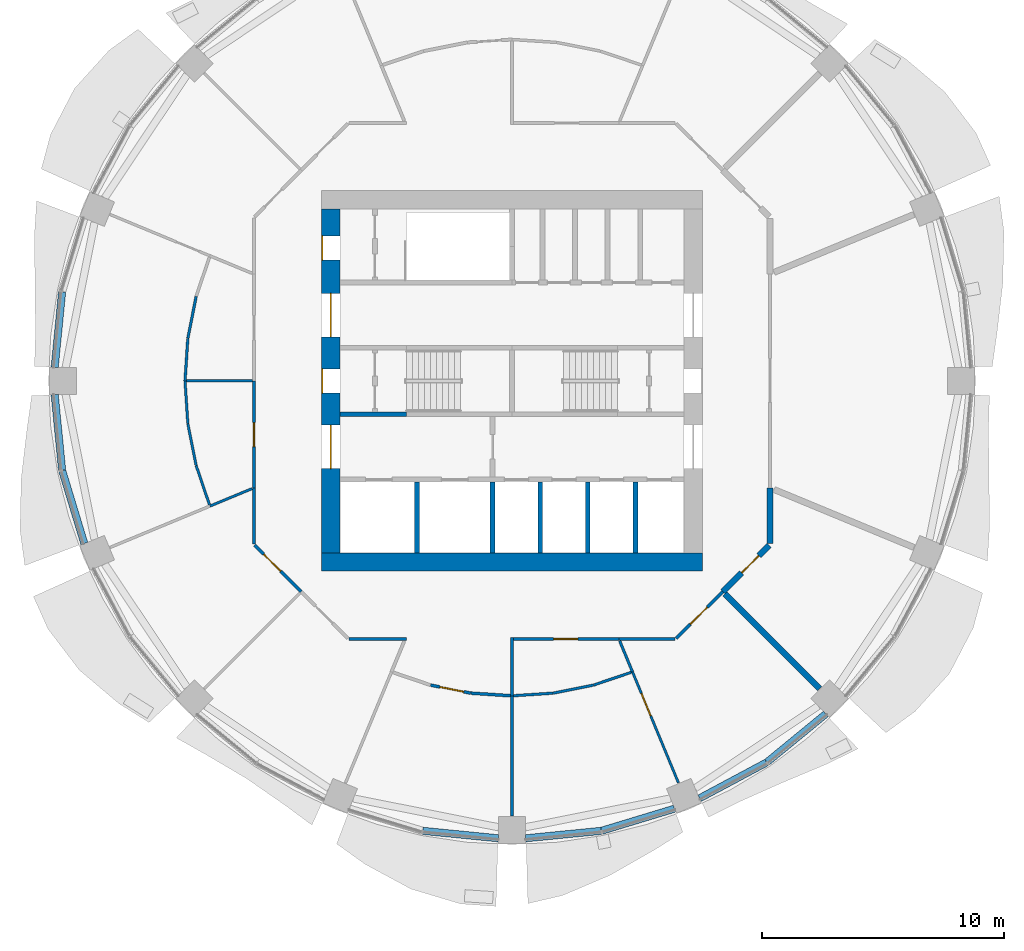
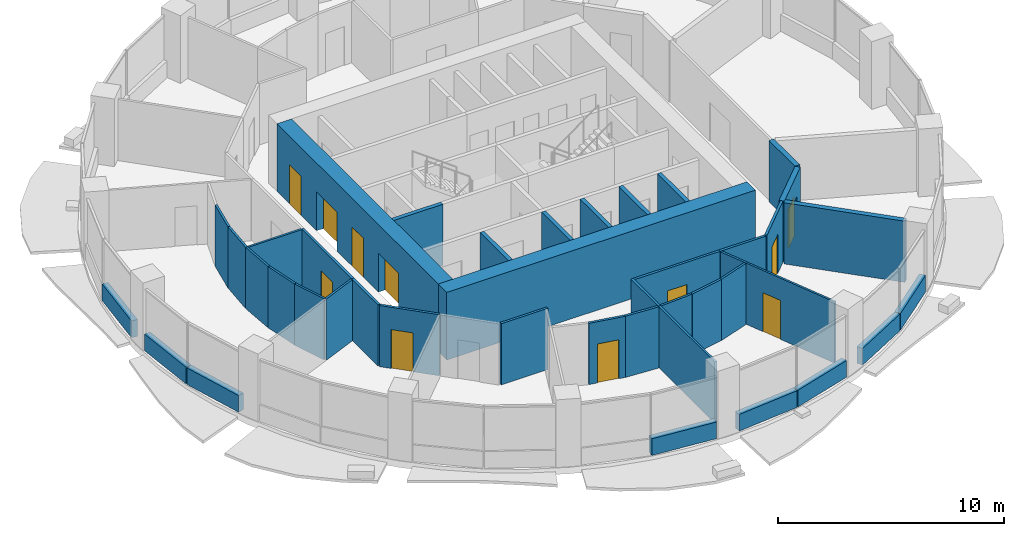
# One storey, part 7 of 14: 42 walls, 11 doors, 11 openings.
"""IFC4 building model written with IfcOpenShell, lengths in metres."""

from ifc_helpers import new_model, si_unit, direction, frame, frame_2d, origin, place, context, subcontext, project, spatial, rectangle, extrude, material, layer, layer_set, type_object, element, fill, save


model = new_model("IFC4")

# Units and contexts
model_context = context("Model", 3, precision=1e-05, world=origin(), true_north=direction((0.0, 1.0)))
body_context = subcontext(model_context, "Body", "Model", "MODEL_VIEW")
ifc_project = project(units=[si_unit("LENGTHUNIT", "METRE"), si_unit("AREAUNIT", "SQUARE_METRE"), si_unit("VOLUMEUNIT", "CUBIC_METRE"), si_unit("PLANEANGLEUNIT", "RADIAN"), si_unit("MASSUNIT", "GRAM", prefix="KILO")], contexts=[model_context])

# Site, building, storey
site_placement = place(None, origin())
site = spatial("IfcSite", under=ifc_project, at=site_placement, CompositionType="ELEMENT")
building_placement = place(site_placement, origin())
building = spatial("IfcBuilding", under=site, at=building_placement, Name="Polderwave Tower", CompositionType="ELEMENT")
storey_placement = place(building_placement, frame((0.0, 0.0, 112.89990234375)))
storey = spatial("IfcBuildingStorey", under=building, at=storey_placement, Name="L29", CompositionType="ELEMENT", Elevation=112.89990234375)

# Wall
ifc_material_1 = material(Name="Concrete C70/85", Category="concrete")
ifc_layer_1 = layer(ifc_material_1, 0.75)
ifc_layer_set_1 = layer_set([ifc_layer_1], Name="CORE WALL 750 C70/85")
wall_type_1 = type_object("IfcWallType", Name="CORE WALL 750 C70/85", PredefinedType="SHEAR", material=ifc_layer_set_1)
wall_1_placement = place(storey_placement, frame((-7.8740234375, -7.4990234375, 0.0), z_axis=(0.0, 0.0, 1.0), x_axis=(1.0, 0.0, 0.0)))
element("IfcWall", 1, at=wall_1_placement, inside=storey, type_object=wall_type_1, Name="ST-CORE-L29-S", PredefinedType="SHEAR", context=body_context, shape_type="SweptSolid", body=[
    extrude(rectangle(XDim=15.748046875, YDim=0.75, at=frame_2d((7.8740234375, 0.0))), origin(), (0.0, 0.0, 1.0), 3.650146484375),
])

# Wall, openings, doors
wall_2_placement = place(storey_placement, frame((-7.4990234375, -7.1240234375, 0.0), z_axis=(0.0, 0.0, 1.0), x_axis=(0.0, 1.0, 0.0)))
wall_2 = element("IfcWall", 2, at=wall_2_placement, inside=storey, type_object=wall_type_1, Name="ST-CORE-L29-W", PredefinedType="SHEAR", context=body_context, shape_type="SweptSolid", body=[
    extrude(rectangle(XDim=14.248046875, YDim=0.75, at=frame_2d((7.1240234375, 0.0))), origin(), (0.0, 0.0, 1.0), 3.650146484375),
])
opening_1_placement = place(wall_2_placement, frame((6.6240234375, 0.0, 0.0)))
opening_1 = element("IfcOpeningElement", 3, at=opening_1_placement, cuts=wall_2, Name="Opening L29-D19", PredefinedType="OPENING", context=body_context, shape_type="SweptSolid", body=[
    extrude(rectangle(XDim=1.0, YDim=2.10009765625, at=frame_2d((0.5, 1.050048828125))), frame((0.0, 0.385009765625, 0.0), z_axis=(0.0, -1.0, 0.0), x_axis=(1.0, 0.0, 0.0)), (0.0, 0.0, 1.0), 0.77001953125),
])
opening_2_placement = place(wall_2_placement, frame((3.49951171875, 0.0, 0.0)))
opening_2 = element("IfcOpeningElement", 4, at=opening_2_placement, cuts=wall_2, Name="Opening L29-D20", PredefinedType="OPENING", context=body_context, shape_type="SweptSolid", body=[
    extrude(rectangle(XDim=1.800048828125, YDim=2.10009765625, at=frame_2d((0.89990234375, 1.050048828125))), frame((0.0, 0.385009765625, 0.0), z_axis=(0.0, -1.0, 0.0), x_axis=(1.0, 0.0, 0.0)), (0.0, 0.0, 1.0), 0.77001953125),
])
opening_3_placement = place(wall_2_placement, frame((8.948486328125, 0.0, 0.0)))
opening_3 = element("IfcOpeningElement", 5, at=opening_3_placement, cuts=wall_2, Name="Opening L29-D21", PredefinedType="OPENING", context=body_context, shape_type="SweptSolid", body=[
    extrude(rectangle(XDim=1.800048828125, YDim=2.10009765625, at=frame_2d((0.89990234375, 1.050048828125))), frame((0.0, 0.385009765625, 0.0), z_axis=(0.0, -1.0, 0.0), x_axis=(1.0, 0.0, 0.0)), (0.0, 0.0, 1.0), 0.77001953125),
])
opening_4_placement = place(wall_2_placement, frame((12.1240234375, 0.0, 0.0)))
opening_4 = element("IfcOpeningElement", 6, at=opening_4_placement, cuts=wall_2, Name="Opening L29-D22", PredefinedType="OPENING", context=body_context, shape_type="SweptSolid", body=[
    extrude(rectangle(XDim=1.0, YDim=2.10009765625, at=frame_2d((0.5, 1.050048828125))), frame((0.0, 0.385009765625, 0.0), z_axis=(0.0, -1.0, 0.0), x_axis=(1.0, 0.0, 0.0)), (0.0, 0.0, 1.0), 0.77001953125),
])
ifc_material_2 = material(Name="Steel fire door", Category="steel")
door_type_1 = type_object("IfcDoorType", Name="Lobby entry door pair 1800", OperationType="DOUBLE_DOOR_SINGLE_SWING", PredefinedType="DOOR", material=ifc_material_2)
door_1_placement = place(opening_2_placement, origin())
door_1 = element("IfcDoor", 7, at=door_1_placement, inside=storey, type_object=door_type_1, Name="Fire-fighting lobby entry door", OperationType="DOUBLE_DOOR_SINGLE_SWING", OverallHeight=2.10009765625, OverallWidth=1.800048828125, PredefinedType="DOOR", context=body_context, shape_type="SweptSolid", body=[
    extrude(rectangle(XDim=1.800048828125, YDim=2.10009765625, at=frame_2d((0.89990234375, 1.050048828125))), frame((0.0, 0.02490234375, 0.0), z_axis=(0.0, -1.0, 0.0), x_axis=(1.0, 0.0, 0.0)), (0.0, 0.0, 1.0), 0.050048828125),
])
fill(opening_2, door_1)
door_2_placement = place(opening_3_placement, origin())
door_2 = element("IfcDoor", 8, at=door_2_placement, inside=storey, type_object=door_type_1, Name="North lobby entry door", OperationType="DOUBLE_DOOR_SINGLE_SWING", OverallHeight=2.10009765625, OverallWidth=1.800048828125, PredefinedType="DOOR", context=body_context, shape_type="SweptSolid", body=[
    extrude(rectangle(XDim=1.800048828125, YDim=2.10009765625, at=frame_2d((0.89990234375, 1.050048828125))), frame((0.0, 0.02490234375, 0.0), z_axis=(0.0, -1.0, 0.0), x_axis=(1.0, 0.0, 0.0)), (0.0, 0.0, 1.0), 0.050048828125),
])
fill(opening_3, door_2)
door_type_2 = type_object("IfcDoorType", Name="Stair door 1000", OperationType="NOTDEFINED", PredefinedType="DOOR", material=ifc_material_2)
door_3_placement = place(opening_1_placement, origin())
door_3 = element("IfcDoor", 9, at=door_3_placement, inside=storey, type_object=door_type_2, Name="Stair A entry door", OperationType="SINGLE_SWING_RIGHT", OverallHeight=2.10009765625, OverallWidth=1.0, PredefinedType="DOOR", context=body_context, shape_type="SweptSolid", body=[
    extrude(rectangle(XDim=1.0, YDim=2.10009765625, at=frame_2d((0.5, 1.050048828125))), frame((0.0, 0.375, 0.0), z_axis=(0.0, -1.0, 0.0), x_axis=(1.0, 0.0, 0.0)), (0.0, 0.0, 1.0), 0.050048828125),
])
fill(opening_1, door_3)
door_4_placement = place(opening_4_placement, origin())
door_4 = element("IfcDoor", 10, at=door_4_placement, inside=storey, type_object=door_type_2, Name="Stair C entry door", OperationType="SINGLE_SWING_RIGHT", OverallHeight=2.10009765625, OverallWidth=1.0, PredefinedType="DOOR", context=body_context, shape_type="SweptSolid", body=[
    extrude(rectangle(XDim=1.0, YDim=2.10009765625, at=frame_2d((0.5, 1.050048828125))), frame((0.0, 0.375, 0.0), z_axis=(0.0, -1.0, 0.0), x_axis=(1.0, 0.0, 0.0)), (0.0, 0.0, 1.0), 0.050048828125),
])
fill(opening_4, door_4)

# Walls
ifc_material_3 = material(Name="Concrete C50/60 (board-marked)", Category="concrete")
ifc_layer_2 = layer(ifc_material_3, 0.300048828125)
ifc_layer_set_2 = layer_set([ifc_layer_2], Name="Concrete spandrel upstand C50/60")
wall_type_2 = type_object("IfcWallType", Name="Concrete spandrel upstand C50/60", PredefinedType="SOLIDWALL", material=ifc_layer_set_2)
for number, where, z_axis, x_axis, name in (
    (11, (-18.616455078125, 3.68798828125, 0.0), (0.0, 0.0, 1.0), (-0.098148390136, -0.995171790956, 0.0), "Spandrel L29 8b"),
    (12, (-18.924560546875, -0.56396484375, 0.0), (0.0, 0.0, 1.0), (0.098148390136, -0.995171790956, 0.0), "Spandrel L29 9a"),
):
    element("IfcWall", number, at=place(storey_placement, frame(where, z_axis=z_axis, x_axis=x_axis)), inside=storey, type_object=wall_type_2, Name=name, PredefinedType="SOLIDWALL", context=body_context, shape_type="SweptSolid", body=[
        extrude(rectangle(XDim=3.13916015625, YDim=0.300048828125, at=frame_2d((1.569580078125, 0.0))), origin(), (0.0, 0.0, 1.0), 0.900146484375),
    ])
wall_3_placement = place(storey_placement, frame((-18.610595703125, -3.71728515625, 0.0), z_axis=(0.0, 0.0, 1.0), x_axis=(0.290214584271, -0.956961595403, 0.0)))
element("IfcWall", 13, at=wall_3_placement, inside=storey, type_object=wall_type_2, Name="Spandrel L29 9b", PredefinedType="SOLIDWALL", context=body_context, shape_type="SweptSolid", body=[
    extrude(rectangle(XDim=3.139404296875, YDim=0.300048828125, at=frame_2d((1.56982421875, 0.0))), origin(), (0.0, 0.0, 1.0), 0.900146484375),
])
for number, where, z_axis, x_axis, name in (
    (14, (-3.68798828125, -18.616455078125, 0.0), (0.0, 0.0, 1.0), (0.995171790956, -0.098148390136, 0.0), "Spandrel L29 12b"),
    (15, (0.56396484375, -18.924560546875, 0.0), (0.0, 0.0, 1.0), (0.995171790956, 0.098148390136, 0.0), "Spandrel L29 13a"),
):
    element("IfcWall", number, at=place(storey_placement, frame(where, z_axis=z_axis, x_axis=x_axis)), inside=storey, type_object=wall_type_2, Name=name, PredefinedType="SOLIDWALL", context=body_context, shape_type="SweptSolid", body=[
        extrude(rectangle(XDim=3.13916015625, YDim=0.300048828125, at=frame_2d((1.569580078125, 0.0))), origin(), (0.0, 0.0, 1.0), 0.900146484375),
    ])
wall_4_placement = place(storey_placement, frame((3.71728515625, -18.610595703125, 0.0), z_axis=(0.0, 0.0, 1.0), x_axis=(0.956961595403, 0.290214584271, 0.0)))
element("IfcWall", 16, at=wall_4_placement, inside=storey, type_object=wall_type_2, Name="Spandrel L29 13b", PredefinedType="SOLIDWALL", context=body_context, shape_type="SweptSolid", body=[
    extrude(rectangle(XDim=3.139404296875, YDim=0.300048828125, at=frame_2d((1.56982421875, 0.0))), origin(), (0.0, 0.0, 1.0), 0.900146484375),
])
wall_5_placement = place(storey_placement, frame((7.76318359375, -17.267822265625, 0.0), z_axis=(0.0, 0.0, 1.0), x_axis=(0.88193278355, 0.471375185282, 0.0)))
element("IfcWall", 17, at=wall_5_placement, inside=storey, type_object=wall_type_2, Name="Spandrel L29 14a", PredefinedType="SOLIDWALL", context=body_context, shape_type="SweptSolid", body=[
    extrude(rectangle(XDim=3.13916015625, YDim=0.300048828125, at=frame_2d((1.569580078125, 0.0))), origin(), (0.0, 0.0, 1.0), 0.900146484375),
])
wall_6_placement = place(storey_placement, frame((10.556640625, -15.771484375, 0.0), z_axis=(0.0, 0.0, 1.0), x_axis=(0.773107597536, 0.634274895162, 0.0)))
element("IfcWall", 18, at=wall_6_placement, inside=storey, type_object=wall_type_2, Name="Spandrel L29 14b", PredefinedType="SOLIDWALL", context=body_context, shape_type="SweptSolid", body=[
    extrude(rectangle(XDim=3.138916015625, YDim=0.300048828125, at=frame_2d((1.5693359375, 0.0))), origin(), (0.0, 0.0, 1.0), 0.900146484375),
])
ifc_material_4 = material(Name="Concrete C50/60", Category="concrete")
ifc_layer_3 = layer(ifc_material_4, 0.199951171875)
ifc_layer_set_3 = layer_set([ifc_layer_3], Name="Core web wall 200")
wall_type_3 = type_object("IfcWallType", Name="Core web wall 200", PredefinedType="SHEAR", material=ifc_layer_set_3)
wall_7_placement = place(storey_placement, frame((-7.1240234375, -1.375, 0.0), z_axis=(0.0, 0.0, 1.0), x_axis=(1.0, 0.0, 0.0)))
element("IfcWall", 19, at=wall_7_placement, inside=storey, type_object=wall_type_3, Name="L29 south stair wall 1", PredefinedType="SHEAR", context=body_context, shape_type="SweptSolid", body=[
    extrude(rectangle(XDim=2.75, YDim=0.199951171875, at=frame_2d((1.375, 0.0))), origin(), (0.0, 0.0, 1.0), 3.300048828125),
])

# Wall, opening, door
ifc_material_5 = material(Name="Fire-resisting board on steel studs", Category="steel")
ifc_layer_4 = layer(ifc_material_5, 0.125)
ifc_layer_set_4 = layer_set([ifc_layer_4], Name="Corridor wall 125 mm EI 60")
wall_type_4 = type_object("IfcWallType", Name="Corridor wall 125 mm EI 60", PredefinedType="PARTITIONING", material=ifc_layer_set_4)
wall_8_placement = place(storey_placement, frame((-10.674072265625, -4.42138671875, 0.0), z_axis=(0.0, 0.0, 1.0), x_axis=(0.0, 1.0, 0.0)))
wall_8 = element("IfcWall", 20, at=wall_8_placement, inside=storey, type_object=wall_type_4, Name="IN-L29-W014", PredefinedType="PARTITIONING", context=body_context, shape_type="SweptSolid", body=[
    extrude(rectangle(XDim=4.42138671875, YDim=0.125, at=frame_2d((2.210693359375, 0.0))), origin(), (0.0, 0.0, 1.0), 3.300048828125),
])
opening_5_placement = place(wall_8_placement, frame((1.699951171875, 0.0, 0.0)))
opening_5 = element("IfcOpeningElement", 21, at=opening_5_placement, cuts=wall_8, Name="Opening L29-D58", PredefinedType="OPENING", context=body_context, shape_type="SweptSolid", body=[
    extrude(rectangle(XDim=1.0, YDim=2.10009765625, at=frame_2d((0.5, 1.050048828125))), frame((0.0, 0.072509765625, 0.0), z_axis=(0.0, -1.0, 0.0), x_axis=(1.0, 0.0, 0.0)), (0.0, 0.0, 1.0), 0.14501953125),
])
ifc_material_6 = material(Name="Timber fire door leaf", Category="wood")
door_type_3 = type_object("IfcDoorType", Name="Fire door FD30S 1000 x 2100", OperationType="NOTDEFINED", PredefinedType="DOOR", material=ifc_material_6)
door_5_placement = place(opening_5_placement, origin())
door_5 = element("IfcDoor", 22, at=door_5_placement, inside=storey, type_object=door_type_3, Name="Door L29-D58", OperationType="SINGLE_SWING_LEFT", OverallHeight=2.10009765625, OverallWidth=1.0, PredefinedType="DOOR", context=body_context, shape_type="SweptSolid", body=[
    extrude(rectangle(XDim=1.0, YDim=2.10009765625, at=frame_2d((0.5, 1.050048828125))), frame((0.0, 0.02490234375, 0.0), z_axis=(0.0, -1.0, 0.0), x_axis=(1.0, 0.0, 0.0)), (0.0, 0.0, 1.0), 0.050048828125),
])
fill(opening_5, door_5)

# Wall
wall_9_placement = place(storey_placement, frame((-10.674072265625, -6.7451171875, 0.0), z_axis=(0.0, 0.0, 1.0), x_axis=(0.0, 1.0, 0.0)))
element("IfcWall", 23, at=wall_9_placement, inside=storey, type_object=wall_type_4, Name="IN-L29-W015", PredefinedType="PARTITIONING", context=body_context, shape_type="SweptSolid", body=[
    extrude(rectangle(XDim=2.32373046875, YDim=0.125, at=frame_2d((1.161865234375, 0.0))), origin(), (0.0, 0.0, 1.0), 3.300048828125),
])

# Wall, opening, door
wall_10_placement = place(storey_placement, frame((-8.722412109375, -8.722412109375, 0.0), z_axis=(0.0, 0.0, 1.0), x_axis=(-0.707151428813, 0.707062130741, 0.0)))
wall_10 = element("IfcWall", 24, at=wall_10_placement, inside=storey, type_object=wall_type_4, Name="IN-L29-W016", PredefinedType="PARTITIONING", context=body_context, shape_type="SweptSolid", body=[
    extrude(rectangle(XDim=2.73388671875, YDim=0.125, at=frame_2d((1.366943359375, 0.0))), origin(), (0.0, 0.0, 1.0), 3.300048828125),
])
opening_6_placement = place(wall_10_placement, frame((1.199951171875, 0.0, 0.0)))
opening_6 = element("IfcOpeningElement", 25, at=opening_6_placement, cuts=wall_10, Name="Opening L29-D59", PredefinedType="OPENING", context=body_context, shape_type="SweptSolid", body=[
    extrude(rectangle(XDim=1.0, YDim=2.10009765625, at=frame_2d((0.5, 1.050048828125))), frame((0.0, 0.072509765625, 0.0), z_axis=(0.0, -1.0, 0.0), x_axis=(1.0, 0.0, 0.0)), (0.0, 0.0, 1.0), 0.14501953125),
])
door_6_placement = place(opening_6_placement, origin())
door_6 = element("IfcDoor", 26, at=door_6_placement, inside=storey, type_object=door_type_3, Name="Door L29-D59", OperationType="SINGLE_SWING_RIGHT", OverallHeight=2.10009765625, OverallWidth=1.0, PredefinedType="DOOR", context=body_context, shape_type="SweptSolid", body=[
    extrude(rectangle(XDim=1.0, YDim=2.10009765625, at=frame_2d((0.5, 1.050048828125))), frame((0.0, 0.02490234375, 0.0), z_axis=(0.0, -1.0, 0.0), x_axis=(1.0, 0.0, 0.0)), (0.0, 0.0, 1.0), 0.050048828125),
])
fill(opening_6, door_6)

# Wall
wall_11_placement = place(storey_placement, frame((-4.35888671875, -10.674072265625, 0.0), z_axis=(0.0, 0.0, 1.0), x_axis=(-1.0, 0.0, 0.0)))
element("IfcWall", 27, at=wall_11_placement, inside=storey, type_object=wall_type_4, Name="IN-L29-W018", PredefinedType="PARTITIONING", context=body_context, shape_type="SweptSolid", body=[
    extrude(rectangle(XDim=2.38623046875, YDim=0.125, at=frame_2d((1.193115234375, 0.0))), origin(), (0.0, 0.0, 1.0), 3.300048828125),
])

# Wall, opening, door
wall_12_placement = place(storey_placement, frame((4.42138671875, -10.674072265625, 0.0), z_axis=(0.0, 0.0, 1.0), x_axis=(-1.0, 0.0, 0.0)))
wall_12 = element("IfcWall", 28, at=wall_12_placement, inside=storey, type_object=wall_type_4, Name="IN-L29-W019", PredefinedType="PARTITIONING", context=body_context, shape_type="SweptSolid", body=[
    extrude(rectangle(XDim=4.35888671875, YDim=0.125, at=frame_2d((2.179443359375, 0.0))), origin(), (0.0, 0.0, 1.0), 3.300048828125),
])
opening_7_placement = place(wall_12_placement, frame((1.699951171875, 0.0, 0.0)))
opening_7 = element("IfcOpeningElement", 29, at=opening_7_placement, cuts=wall_12, Name="Opening L29-D61", PredefinedType="OPENING", context=body_context, shape_type="SweptSolid", body=[
    extrude(rectangle(XDim=1.0, YDim=2.10009765625, at=frame_2d((0.5, 1.050048828125))), frame((0.0, 0.072509765625, 0.0), z_axis=(0.0, -1.0, 0.0), x_axis=(1.0, 0.0, 0.0)), (0.0, 0.0, 1.0), 0.14501953125),
])
door_7_placement = place(opening_7_placement, origin())
door_7 = element("IfcDoor", 30, at=door_7_placement, inside=storey, type_object=door_type_3, Name="Door L29-D61", OperationType="SINGLE_SWING_RIGHT", OverallHeight=2.10009765625, OverallWidth=1.0, PredefinedType="DOOR", context=body_context, shape_type="SweptSolid", body=[
    extrude(rectangle(XDim=1.0, YDim=2.10009765625, at=frame_2d((0.5, 1.050048828125))), frame((0.0, 0.02490234375, 0.0), z_axis=(0.0, -1.0, 0.0), x_axis=(1.0, 0.0, 0.0)), (0.0, 0.0, 1.0), 0.050048828125),
])
fill(opening_7, door_7)

# Wall
wall_13_placement = place(storey_placement, frame((6.7451171875, -10.674072265625, 0.0), z_axis=(0.0, 0.0, 1.0), x_axis=(-1.0, 0.0, 0.0)))
element("IfcWall", 31, at=wall_13_placement, inside=storey, type_object=wall_type_4, Name="IN-L29-W020", PredefinedType="PARTITIONING", context=body_context, shape_type="SweptSolid", body=[
    extrude(rectangle(XDim=2.32373046875, YDim=0.125, at=frame_2d((1.161865234375, 0.0))), origin(), (0.0, 0.0, 1.0), 3.300048828125),
])

# Wall, opening, door
wall_14_placement = place(storey_placement, frame((8.722412109375, -8.722412109375, 0.0), z_axis=(0.0, 0.0, 1.0), x_axis=(-0.707062130741, -0.707151428813, 0.0)))
wall_14 = element("IfcWall", 32, at=wall_14_placement, inside=storey, type_object=wall_type_4, Name="IN-L29-W021", PredefinedType="PARTITIONING", context=body_context, shape_type="SweptSolid", body=[
    extrude(rectangle(XDim=2.73388671875, YDim=0.125, at=frame_2d((1.366943359375, 0.0))), origin(), (0.0, 0.0, 1.0), 3.300048828125),
])
opening_8_placement = place(wall_14_placement, frame((0.89990234375, 0.0, 0.0)))
opening_8 = element("IfcOpeningElement", 33, at=opening_8_placement, cuts=wall_14, Name="Opening L29-D62", PredefinedType="OPENING", context=body_context, shape_type="SweptSolid", body=[
    extrude(rectangle(XDim=1.0, YDim=2.10009765625, at=frame_2d((0.5, 1.050048828125))), frame((0.0, 0.072509765625, 0.0), z_axis=(0.0, -1.0, 0.0), x_axis=(1.0, 0.0, 0.0)), (0.0, 0.0, 1.0), 0.14501953125),
])
door_8_placement = place(opening_8_placement, origin())
door_8 = element("IfcDoor", 34, at=door_8_placement, inside=storey, type_object=door_type_3, Name="Door L29-D62", OperationType="SINGLE_SWING_RIGHT", OverallHeight=2.10009765625, OverallWidth=1.0, PredefinedType="DOOR", context=body_context, shape_type="SweptSolid", body=[
    extrude(rectangle(XDim=1.0, YDim=2.10009765625, at=frame_2d((0.5, 1.050048828125))), frame((0.0, 0.02490234375, 0.0), z_axis=(0.0, -1.0, 0.0), x_axis=(1.0, 0.0, 0.0)), (0.0, 0.0, 1.0), 0.050048828125),
])
fill(opening_8, door_8)

wall_15_placement = place(storey_placement, frame((-1.704833984375, -12.917724609375, 0.0), z_axis=(0.0, 0.0, 1.0), x_axis=(-0.980795988991, 0.195036478586, 0.0)))
wall_15 = element("IfcWall", 35, at=wall_15_placement, inside=storey, type_object=wall_type_4, Name="IN-L29-W052", PredefinedType="PARTITIONING", context=body_context, shape_type="SweptSolid", body=[
    extrude(rectangle(XDim=1.696044921875, YDim=0.125, at=frame_2d((0.84814453125, 0.0))), origin(), (0.0, 0.0, 1.0), 3.300048828125),
])
opening_9_placement = place(wall_15_placement, frame((0.300048828125, 0.0, 0.0)))
opening_9 = element("IfcOpeningElement", 36, at=opening_9_placement, cuts=wall_15, Name="Opening L29-D65", PredefinedType="OPENING", context=body_context, shape_type="SweptSolid", body=[
    extrude(rectangle(XDim=1.0, YDim=2.10009765625, at=frame_2d((0.5, 1.050048828125))), frame((0.0, 0.072509765625, 0.0), z_axis=(0.0, -1.0, 0.0), x_axis=(1.0, 0.0, 0.0)), (0.0, 0.0, 1.0), 0.14501953125),
])
door_9_placement = place(opening_9_placement, origin())
door_9 = element("IfcDoor", 37, at=door_9_placement, inside=storey, type_object=door_type_3, Name="Door L29-D65", OperationType="SINGLE_SWING_LEFT", OverallHeight=2.10009765625, OverallWidth=1.0, PredefinedType="DOOR", context=body_context, shape_type="SweptSolid", body=[
    extrude(rectangle(XDim=1.0, YDim=2.10009765625, at=frame_2d((0.5, 1.050048828125))), frame((0.0, 0.02490234375, 0.0), z_axis=(0.0, -1.0, 0.0), x_axis=(1.0, 0.0, 0.0)), (0.0, 0.0, 1.0), 0.050048828125),
])
fill(opening_9, door_9)

# Walls
wall_16_placement = place(storey_placement, frame((-0.066650390625, -13.025634765625, 0.0), z_axis=(0.0, 0.0, 1.0), x_axis=(-0.997855349109, 0.065457637099, 0.0)))
element("IfcWall", 38, at=wall_16_placement, inside=storey, type_object=wall_type_4, Name="IN-L29-W053", PredefinedType="PARTITIONING", context=body_context, shape_type="SweptSolid", body=[
    extrude(rectangle(XDim=1.633544921875, YDim=0.125, at=frame_2d((0.81689453125, 0.0))), origin(), (0.0, 0.0, 1.0), 3.300048828125),
])
wall_17_placement = place(storey_placement, frame((0.0, -10.611572265625, 0.0), z_axis=(0.0, 0.0, 1.0), x_axis=(0.0, -1.0, 0.0)))
element("IfcWall", 39, at=wall_17_placement, inside=storey, type_object=wall_type_4, Name="IN-L29-W054", PredefinedType="PARTITIONING", context=body_context, shape_type="SweptSolid", body=[
    extrude(rectangle(XDim=2.41845703125, YDim=0.125, at=frame_2d((1.209228515625, 0.0))), origin(), (0.0, 0.0, 1.0), 3.300048828125),
])

# Wall, opening, door
ifc_material_7 = material(Name="Plasterboard on steel studs", Category="steel")
ifc_layer_5 = layer(ifc_material_7, 0.10009765625)
ifc_layer_set_5 = layer_set([ifc_layer_5], Name="Partition 100 mm plasterboard on steel studs")
wall_type_5 = type_object("IfcWallType", Name="Partition 100 mm plasterboard on steel studs", PredefinedType="PARTITIONING", material=ifc_layer_set_5)
wall_18_placement = place(storey_placement, frame((6.88818359375, -16.6298828125, 0.0), z_axis=(0.0, 0.0, 1.0), x_axis=(-0.38266126553, 0.923888714003, 0.0)))
wall_18 = element("IfcWall", 40, at=wall_18_placement, inside=storey, type_object=wall_type_5, Name="IN-L29-W060", PredefinedType="PARTITIONING", context=body_context, shape_type="SweptSolid", body=[
    extrude(rectangle(XDim=4.969970703125, YDim=0.10009765625, at=frame_2d((2.48486328125, 0.0))), origin(), (0.0, 0.0, 1.0), 3.300048828125),
])
opening_10_placement = place(wall_18_placement, frame((3.0, 0.0, 0.0)))
opening_10 = element("IfcOpeningElement", 41, at=opening_10_placement, cuts=wall_18, Name="Opening L29-D66", PredefinedType="OPENING", context=body_context, shape_type="SweptSolid", body=[
    extrude(rectangle(XDim=1.0, YDim=2.10009765625, at=frame_2d((0.5, 1.050048828125))), frame((0.0, 0.06005859375, 0.0), z_axis=(0.0, -1.0, 0.0), x_axis=(1.0, 0.0, 0.0)), (0.0, 0.0, 1.0), 0.1201171875),
])
ifc_material_8 = material(Name="Timber veneer door leaf", Category="wood")
door_type_4 = type_object("IfcDoorType", Name="Single door 1000 x 2100", OperationType="NOTDEFINED", PredefinedType="DOOR", material=ifc_material_8)
door_10_placement = place(opening_10_placement, origin())
door_10 = element("IfcDoor", 42, at=door_10_placement, inside=storey, type_object=door_type_4, Name="Door L29-D66", OperationType="SINGLE_SWING_RIGHT", OverallHeight=2.10009765625, OverallWidth=1.0, PredefinedType="DOOR", context=body_context, shape_type="SweptSolid", body=[
    extrude(rectangle(XDim=1.0, YDim=2.10009765625, at=frame_2d((0.5, 1.050048828125))), frame((0.0, 0.02490234375, 0.0), z_axis=(0.0, -1.0, 0.0), x_axis=(1.0, 0.0, 0.0)), (0.0, 0.0, 1.0), 0.050048828125),
])
fill(opening_10, door_10)

# Walls
ifc_material_9 = material(Name="Moisture-resistant board on steel studs, tiled", Category="steel")
ifc_layer_6 = layer(ifc_material_9, 0.10498046875)
ifc_layer_set_6 = layer_set([ifc_layer_6], Name="Partition 105 mm wet room board and tile")
wall_type_6 = type_object("IfcWallType", Name="Partition 105 mm wet room board and tile", PredefinedType="PARTITIONING", material=ifc_layer_set_6)
wall_19_placement = place(storey_placement, frame((-10.736572265625, 0.0, 0.0), z_axis=(0.0, 0.0, 1.0), x_axis=(-1.0, 0.0, 0.0)))
element("IfcWall", 43, at=wall_19_placement, inside=storey, type_object=wall_type_6, Name="IN-L29-W042", PredefinedType="PARTITIONING", context=body_context, shape_type="SweptSolid", body=[
    extrude(rectangle(XDim=2.73486328125, YDim=0.10498046875, at=frame_2d((1.367431640625, 0.0))), origin(), (0.0, 0.0, 1.0), 3.300048828125),
])
wall_20_placement = place(storey_placement, frame((-13.530029296875, 0.0, 0.0), z_axis=(0.0, 0.0, 1.0), x_axis=(0.065509945756, -0.997851916372, 0.0)))
element("IfcWall", 44, at=wall_20_placement, inside=storey, type_object=wall_type_6, Name="IN-L29-W043", PredefinedType="PARTITIONING", context=body_context, shape_type="SweptSolid", body=[
    extrude(rectangle(XDim=1.7666015625, YDim=0.10498046875, at=frame_2d((0.88330078125, 0.0))), origin(), (0.0, 0.0, 1.0), 3.300048828125),
])
wall_21_placement = place(storey_placement, frame((-13.41357421875, -1.769287109375, 0.0), z_axis=(0.0, 0.0, 1.0), x_axis=(0.19513063546, -0.980777260699, 0.0)))
element("IfcWall", 45, at=wall_21_placement, inside=storey, type_object=wall_type_6, Name="IN-L29-W044", PredefinedType="PARTITIONING", context=body_context, shape_type="SweptSolid", body=[
    extrude(rectangle(XDim=1.762939453125, YDim=0.10498046875, at=frame_2d((0.88134765625, 0.0))), origin(), (0.0, 0.0, 1.0), 3.300048828125),
])
wall_22_placement = place(storey_placement, frame((-13.06787109375, -3.505126953125, 0.0), z_axis=(0.0, 0.0, 1.0), x_axis=(0.321490655205, -0.946912751322, 0.0)))
element("IfcWall", 46, at=wall_22_placement, inside=storey, type_object=wall_type_6, Name="IN-L29-W045", PredefinedType="PARTITIONING", context=body_context, shape_type="SweptSolid", body=[
    extrude(rectangle(XDim=1.710205078125, YDim=0.10498046875, at=frame_2d((0.85498046875, 0.0))), origin(), (0.0, 0.0, 1.0), 3.300048828125),
])
wall_23_placement = place(storey_placement, frame((-10.756591796875, -4.45556640625, 0.0), z_axis=(0.0, 0.0, 1.0), x_axis=(-0.923874914803, -0.382694580309, 0.0)))
element("IfcWall", 47, at=wall_23_placement, inside=storey, type_object=wall_type_6, Name="IN-L29-W047", PredefinedType="PARTITIONING", context=body_context, shape_type="SweptSolid", body=[
    extrude(rectangle(XDim=1.886962890625, YDim=0.10498046875, at=frame_2d((0.943359375, 0.0))), origin(), (0.0, 0.0, 1.0), 3.300048828125),
])
ifc_material_10 = material(Name="Acoustic double plasterboard on steel studs", Category="steel")
ifc_layer_7 = layer(ifc_material_10, 0.110107421875)
ifc_layer_set_7 = layer_set([ifc_layer_7], Name="Partition 110 mm acoustic double board")
wall_type_7 = type_object("IfcWallType", Name="Partition 110 mm acoustic double board", PredefinedType="PARTITIONING", material=ifc_layer_set_7)
wall_24_placement = place(storey_placement, frame((-13.530029296875, 0.0, 0.0), z_axis=(0.0, 0.0, 1.0), x_axis=(0.06551898146, 0.997851323128, 0.0)))
element("IfcWall", 48, at=wall_24_placement, inside=storey, type_object=wall_type_7, Name="IN-L29-W039", PredefinedType="PARTITIONING", context=body_context, shape_type="SweptSolid", body=[
    extrude(rectangle(XDim=1.766357421875, YDim=0.110107421875, at=frame_2d((0.88330078125, 0.0))), origin(), (0.0, 0.0, 1.0), 3.300048828125),
])
wall_25_placement = place(storey_placement, frame((-13.41357421875, 1.76953125, 0.0), z_axis=(0.0, 0.0, 1.0), x_axis=(0.195157142921, 0.980771986532, 0.0)))
element("IfcWall", 49, at=wall_25_placement, inside=storey, type_object=wall_type_7, Name="IN-L29-W040", PredefinedType="PARTITIONING", context=body_context, shape_type="SweptSolid", body=[
    extrude(rectangle(XDim=1.7626953125, YDim=0.110107421875, at=frame_2d((0.88134765625, 0.0))), origin(), (0.0, 0.0, 1.0), 3.300048828125),
])
wall_26_placement = place(storey_placement, frame((0.0, -13.030029296875, 0.0), z_axis=(0.0, 0.0, 1.0), x_axis=(0.0, -1.0, 0.0)))
element("IfcWall", 50, at=wall_26_placement, inside=storey, type_object=wall_type_7, Name="IN-L29-W055", PredefinedType="PARTITIONING", context=body_context, shape_type="SweptSolid", body=[
    extrude(rectangle(XDim=4.969970703125, YDim=0.110107421875, at=frame_2d((2.48486328125, 0.0))), origin(), (0.0, 0.0, 1.0), 3.300048828125),
])
wall_27_placement = place(storey_placement, frame((1.697265625, -12.918701171875, 0.0), z_axis=(0.0, 0.0, 1.0), x_axis=(-0.997857908157, -0.065418614545, 0.0)))
element("IfcWall", 51, at=wall_27_placement, inside=storey, type_object=wall_type_7, Name="IN-L29-W056", PredefinedType="PARTITIONING", context=body_context, shape_type="SweptSolid", body=[
    extrude(rectangle(XDim=1.634521484375, YDim=0.110107421875, at=frame_2d((0.8173828125, 0.0))), origin(), (0.0, 0.0, 1.0), 3.300048828125),
])
wall_28_placement = place(storey_placement, frame((3.368896484375, -12.586669921875, 0.0), z_axis=(0.0, 0.0, 1.0), x_axis=(-0.980790359024, -0.19506478833, 0.0)))
element("IfcWall", 52, at=wall_28_placement, inside=storey, type_object=wall_type_7, Name="IN-L29-W057", PredefinedType="PARTITIONING", context=body_context, shape_type="SweptSolid", body=[
    extrude(rectangle(XDim=1.697265625, YDim=0.110107421875, at=frame_2d((0.8486328125, 0.0))), origin(), (0.0, 0.0, 1.0), 3.300048828125),
])
wall_29_placement = place(storey_placement, frame((4.930908203125, -12.05712890625, 0.0), z_axis=(0.0, 0.0, 1.0), x_axis=(-0.946990007889, -0.321263015235, 0.0)))
element("IfcWall", 53, at=wall_29_placement, inside=storey, type_object=wall_type_7, Name="IN-L29-W058", PredefinedType="PARTITIONING", context=body_context, shape_type="SweptSolid", body=[
    extrude(rectangle(XDim=1.642333984375, YDim=0.110107421875, at=frame_2d((0.8212890625, 0.0))), origin(), (0.0, 0.0, 1.0), 3.300048828125),
])
wall_30_placement = place(storey_placement, frame((4.455810546875, -10.757568359375, 0.0), z_axis=(0.0, 0.0, 1.0), x_axis=(0.382751066095, -0.923851514803, 0.0)))
element("IfcWall", 54, at=wall_30_placement, inside=storey, type_object=wall_type_7, Name="IN-L29-W059", PredefinedType="PARTITIONING", context=body_context, shape_type="SweptSolid", body=[
    extrude(rectangle(XDim=1.385986328125, YDim=0.110107421875, at=frame_2d((0.69287109375, 0.0))), origin(), (0.0, 0.0, 1.0), 3.300048828125),
])

# Wall, opening, door
ifc_material_11 = material(Name="Fire-resisting board on steel studs, mineral wool", Category="steel")
ifc_layer_8 = layer(ifc_material_11, 0.25)
ifc_layer_set_8 = layer_set([ifc_layer_8], Name="Plant room wall 250 mm EI 120")
wall_type_8 = type_object("IfcWallType", Name="Plant room wall 250 mm EI 120", PredefinedType="PARTITIONING", material=ifc_layer_set_8)
wall_31_placement = place(storey_placement, frame((10.637451171875, -6.8076171875, 0.0), z_axis=(0.0, 0.0, 1.0), x_axis=(-0.707151855722, -0.707061703777, 0.0)))
wall_31 = element("IfcWall", 55, at=wall_31_placement, inside=storey, type_object=wall_type_8, Name="IN-L29-W004", PredefinedType="PARTITIONING", context=body_context, shape_type="SweptSolid", body=[
    extrude(rectangle(XDim=2.7080078125, YDim=0.25, at=frame_2d((1.35400390625, 0.0))), origin(), (0.0, 0.0, 1.0), 3.300048828125),
])
opening_11_placement = place(wall_31_placement, frame((0.60009765625, 0.0, 0.0)))
opening_11 = element("IfcOpeningElement", 56, at=opening_11_placement, cuts=wall_31, Name="Opening L29-D52", PredefinedType="OPENING", context=body_context, shape_type="SweptSolid", body=[
    extrude(rectangle(XDim=1.0, YDim=2.10009765625, at=frame_2d((0.5, 1.050048828125))), frame((0.0, 0.135009765625, 0.0), z_axis=(0.0, -1.0, 0.0), x_axis=(1.0, 0.0, 0.0)), (0.0, 0.0, 1.0), 0.27001953125),
])
ifc_material_12 = material(Name="Steel plant door leaf", Category="steel")
door_type_5 = type_object("IfcDoorType", Name="Plant door FD60 1000 x 2100 steel", OperationType="NOTDEFINED", PredefinedType="DOOR", material=ifc_material_12)
door_11_placement = place(opening_11_placement, origin())
door_11 = element("IfcDoor", 57, at=door_11_placement, inside=storey, type_object=door_type_5, Name="Door L29-D52", OperationType="SINGLE_SWING_LEFT", OverallHeight=2.10009765625, OverallWidth=1.0, PredefinedType="DOOR", context=body_context, shape_type="SweptSolid", body=[
    extrude(rectangle(XDim=1.0, YDim=2.10009765625, at=frame_2d((0.5, 1.050048828125))), frame((0.0, 0.02490234375, 0.0), z_axis=(0.0, -1.0, 0.0), x_axis=(1.0, 0.0, 0.0)), (0.0, 0.0, 1.0), 0.050048828125),
])
fill(opening_11, door_11)

# Walls
wall_32_placement = place(storey_placement, frame((10.674072265625, -4.42138671875, 0.0), z_axis=(0.0, 0.0, 1.0), x_axis=(0.0, -1.0, 0.0)))
element("IfcWall", 58, at=wall_32_placement, inside=storey, type_object=wall_type_8, Name="IN-L29-W005", PredefinedType="PARTITIONING", context=body_context, shape_type="SweptSolid", body=[
    extrude(rectangle(XDim=2.2978515625, YDim=0.25, at=frame_2d((1.14892578125, 0.0))), origin(), (0.0, 0.0, 1.0), 3.300048828125),
])
wall_33_placement = place(storey_placement, frame((8.810791015625, -8.810791015625, 0.0), z_axis=(0.0, 0.0, 1.0), x_axis=(0.707106781187, -0.707106781187, 0.0)))
element("IfcWall", 59, at=wall_33_placement, inside=storey, type_object=wall_type_8, Name="IN-L29-W061", PredefinedType="PARTITIONING", context=body_context, shape_type="SweptSolid", body=[
    extrude(rectangle(XDim=5.53955078125, YDim=0.25, at=frame_2d((2.769775390625, 0.0))), origin(), (0.0, 0.0, 1.0), 3.300048828125),
])
ifc_material_13 = material(Name="Gypsum shaft wall system")
ifc_layer_9 = layer(ifc_material_13, 0.199951171875)
ifc_layer_set_9 = layer_set([ifc_layer_9], Name="Shaft wall 200")
wall_type_9 = type_object("IfcWallType", Name="Shaft wall 200", PredefinedType="PARTITIONING", material=ifc_layer_set_9)
for number, where, z_axis, x_axis, name in (
    (60, (-3.93701171875, -7.1240234375, 0.0), (0.0, 0.0, 1.0), (0.0, 1.0, 0.0), "L29 fire-fighting shaft wall 1"),
    (61, (-0.800048828125, -7.1240234375, 0.0), (0.0, 0.0, 1.0), (0.0, 1.0, 0.0), "L29 fire-fighting shaft wall 2"),
    (62, (1.16845703125, -7.1240234375, 0.0), (0.0, 0.0, 1.0), (0.0, 1.0, 0.0), "L29 lift shaft wall 1"),
    (63, (3.136962890625, -7.1240234375, 0.0), (0.0, 0.0, 1.0), (0.0, 1.0, 0.0), "L29 lift shaft wall 2"),
    (64, (5.10546875, -7.1240234375, 0.0), (0.0, 0.0, 1.0), (0.0, 1.0, 0.0), "L29 lift shaft wall 3"),
):
    element("IfcWall", number, at=place(storey_placement, frame(where, z_axis=z_axis, x_axis=x_axis)), inside=storey, type_object=wall_type_9, Name=name, PredefinedType="PARTITIONING", context=body_context, shape_type="SweptSolid", body=[
        extrude(rectangle(XDim=2.949951171875, YDim=0.199951171875, at=frame_2d((1.47509765625, 0.0))), origin(), (0.0, 0.0, 1.0), 3.300048828125),
    ])

save(model, "model.ifc")
